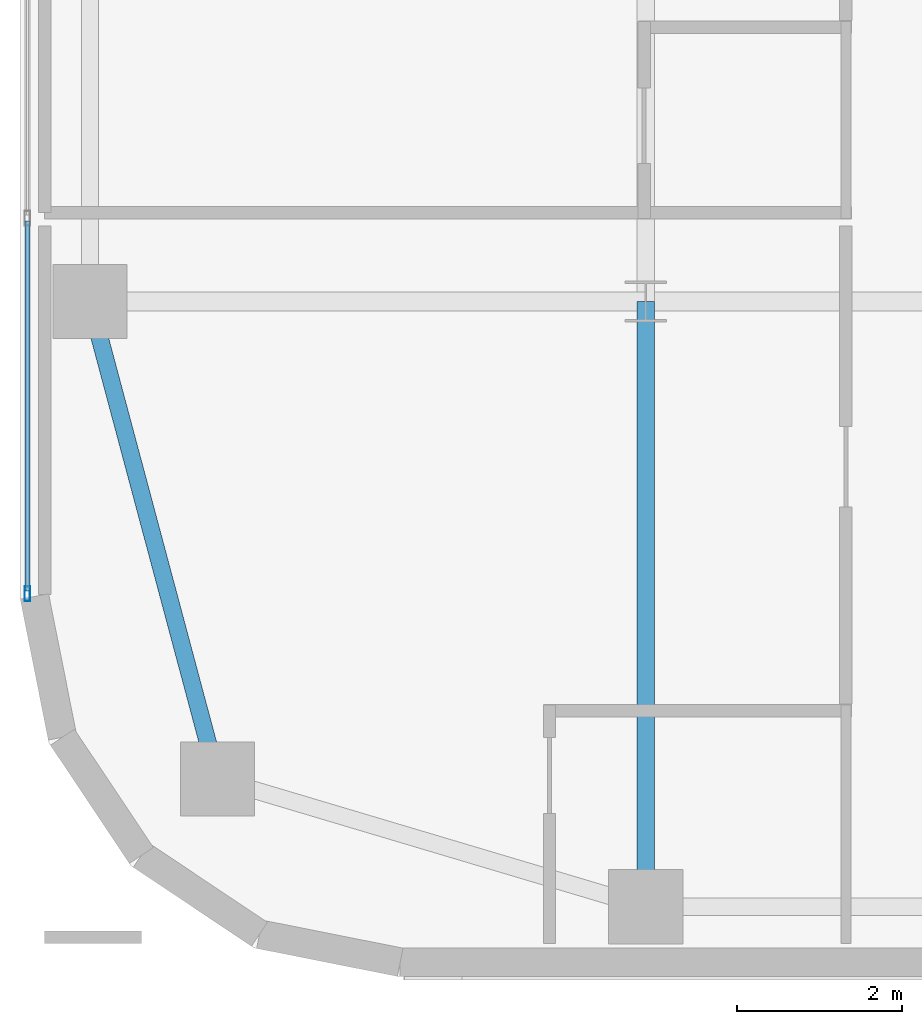
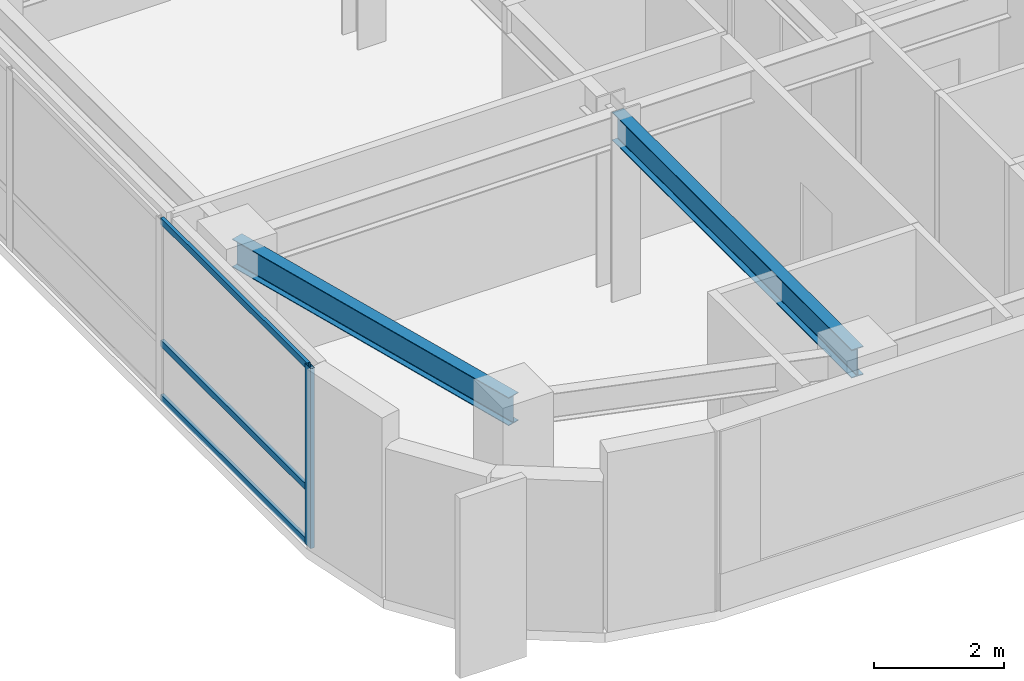
# One storey, part 2 of 37: 4 members, 2 beams, 1 element without a shape of its own.
"""IFC4 building model written with IfcOpenShell, lengths in metres."""

from ifc_helpers import new_model, si_unit, direction, frame, origin, origin_2d, place, context, subcontext, project, spatial, hollow_rectangle, i_section, extrude, source, transform, mapped, material, layer, layer_set, material_profile, profile_set, type_object, type_shapes, element, aggregate, save


model = new_model("IFC4")

# Units and contexts
model_context = context("Model", 3, precision=1e-05, world=origin(), true_north=direction((0.0, 1.0)))
body_context = subcontext(model_context, "Body", "Model", "MODEL_VIEW")
ifc_project = project(units=[si_unit("LENGTHUNIT", "METRE"), si_unit("AREAUNIT", "SQUARE_METRE"), si_unit("VOLUMEUNIT", "CUBIC_METRE"), si_unit("PLANEANGLEUNIT", "RADIAN"), si_unit("MASSUNIT", "GRAM", prefix="KILO")], contexts=[model_context])

# Site, building, storey
site_placement = place(None, origin())
site = spatial("IfcSite", under=ifc_project, at=site_placement, CompositionType="ELEMENT")
building_placement = place(site_placement, origin())
building = spatial("IfcBuilding", under=site, at=building_placement, Name="Tolvann Quenvar Hotel", CompositionType="ELEMENT")
storey_placement = place(building_placement, frame((0.0, 0.0, 104.449951171875)))
storey = spatial("IfcBuildingStorey", under=building, at=storey_placement, Name="L26", CompositionType="ELEMENT", Elevation=104.449951171875)

# Beams
ifc_material_1 = material(Name="Steel Grade 350", Category="steel")
ifc_material_profile_1 = material_profile(ifc_material_1, i_section(OverallWidth=0.208984375, OverallDepth=0.528076171875, WebThickness=0.009521484375, FlangeThickness=0.01318359375, FilletRadius=0.013916015625, at=origin_2d()), Name="530UB82")
ifc_profile_set_1 = profile_set([ifc_material_profile_1], Name="Steel Grade 350")
beam_type_1 = type_object("IfcBeamType", Name="BM_SPAND_530UB82", PredefinedType="SPANDREL", material=ifc_profile_set_1)
shared_shape_1 = source(origin(), body_context, "Body", "SweptSolid", [
    extrude(i_section(OverallWidth=0.208984375, OverallDepth=0.528076171875, WebThickness=0.009521484375, FlangeThickness=0.01318359375, FilletRadius=0.013916015625, at=origin_2d()), origin(), (0.0, 0.0, 1.0), 6.00341796875),
])
type_shapes(beam_type_1, [shared_shape_1])
beam_1_placement = place(storey_placement, frame((2.39990234375, 2.39990234375, 3.10595703125), z_axis=(-0.258148586649, 0.966105225745, 0.0), x_axis=(-0.966105225745, -0.258148586649, 0.0)))
element("IfcBeam", 1, at=beam_1_placement, inside=storey, type_object=beam_type_1, Name="BM-L26-NS-B2-B3", PredefinedType="SPANDREL", context=body_context, shape_type="MappedRepresentation", body=[
    mapped(shared_shape_1, transform((0.0, 0.0, 0.0), x_axis=(1.0, 0.0, 0.0), y_axis=(0.0, 1.0, 0.0), z_axis=(0.0, 0.0, 1.0), scale=1.0)),
])
ifc_material_profile_2 = material_profile(ifc_material_1, i_section(OverallWidth=0.208984375, OverallDepth=0.532958984375, WebThickness=0.01025390625, FlangeThickness=0.015625, FilletRadius=0.013916015625, at=origin_2d()), Name="530UB92")
ifc_profile_set_2 = profile_set([ifc_material_profile_2], Name="Steel Grade 350")
beam_type_2 = type_object("IfcBeamType", Name="BM_GIRD_530UB92", PredefinedType="BEAM", material=ifc_profile_set_2)
shared_shape_2 = source(origin(), body_context, "Body", "SweptSolid", [
    extrude(i_section(OverallWidth=0.208984375, OverallDepth=0.532958984375, WebThickness=0.01025390625, FlangeThickness=0.015625, FilletRadius=0.013916015625, at=origin_2d()), origin(), (0.0, 0.0, 1.0), 7.349853515625),
])
type_shapes(beam_type_2, [shared_shape_2])
beam_2_placement = place(storey_placement, frame((7.60009765625, 0.85009765625, 3.103515625), z_axis=(0.0, 1.0, 0.0), x_axis=(-1.0, 0.0, 0.0)))
element("IfcBeam", 2, at=beam_2_placement, inside=storey, type_object=beam_type_2, Name="BM-L26-NS-C2-C3", PredefinedType="BEAM", context=body_context, shape_type="MappedRepresentation", body=[
    mapped(shared_shape_2, transform((0.0, 0.0, 0.0), x_axis=(1.0, 0.0, 0.0), y_axis=(0.0, 1.0, 0.0), z_axis=(0.0, 0.0, 1.0), scale=1.0)),
])

# Curtain wall, members
ifc_material_2 = material(Name="Thermally broken anodised architectural aluminium 6063-T6 and laminated low-E glass", Category="aluminium")
ifc_layer = layer(ifc_material_2, 0.179931640625)
ifc_layer_set = layer_set([ifc_layer], Name="Thermally broken anodised architectural aluminium 6063-T6 and laminated low-E glass")
curtain_wall_type = type_object("IfcCurtainWallType", Name="CW_SYS_BAND_04", PredefinedType="USERDEFINED", material=ifc_layer_set)
curtain_wall_placement = place(storey_placement, origin())
curtain_wall = element("IfcCurtainWall", 3, at=curtain_wall_placement, inside=storey, type_object=curtain_wall_type, Name="Curtain Wall CW-BAND-04 (CWR-L26-E23)", ObjectType="UNITISED CURTAIN WALL", PredefinedType="USERDEFINED")
ifc_material_3 = material(Name="Anodised architectural aluminium 6063-T6 framing", Category="aluminium")
ifc_material_profile_3 = material_profile(ifc_material_3, hollow_rectangle(XDim=0.070068359375, YDim=0.179931640625, WallThickness=0.00390625, at=origin_2d()), Name="180x70x4RHS")
ifc_profile_set_3 = profile_set([ifc_material_profile_3], Name="Anodised architectural aluminium 6063-T6 framing")
member_type_1 = type_object("IfcMemberType", Name="CW_MULL_180x70", PredefinedType="MULLION", material=ifc_profile_set_3)
shared_shape_3 = source(origin(), body_context, "Body", "SweptSolid", [
    extrude(hollow_rectangle(XDim=0.070068359375, YDim=0.179931640625, WallThickness=0.00390625, at=origin_2d()), origin(), (0.0, 0.0, 1.0), 3.3701171875),
])
type_shapes(member_type_1, [shared_shape_3])
member_1_placement = place(storey_placement, frame((0.090087890625, 4.652099609375, 0.0), z_axis=(0.0, 0.0, 1.0), x_axis=(1.0, 0.0, 0.0)))
member_1 = element("IfcMember", 4, at=member_1_placement, type_object=member_type_1, Name="CW-BAND-04 mullion 9", PredefinedType="MULLION", context=body_context, shape_type="MappedRepresentation", body=[
    mapped(shared_shape_3, transform((0.0, 0.0, 0.0), x_axis=(1.0, 0.0, 0.0), y_axis=(0.0, 1.0, 0.0), z_axis=(0.0, 0.0, 1.0), scale=1.0)),
])
ifc_material_profile_4 = material_profile(ifc_material_3, hollow_rectangle(XDim=0.06005859375, YDim=0.1201171875, WallThickness=0.00341796875, at=origin_2d()), Name="120x60x3.5RHS")
ifc_profile_set_4 = profile_set([ifc_material_profile_4], Name="Anodised architectural aluminium 6063-T6 framing")
member_type_2 = type_object("IfcMemberType", Name="CW_TRAN_120x60", PredefinedType="USERDEFINED", material=ifc_profile_set_4)
shared_shape_4 = source(origin(), body_context, "Body", "SweptSolid", [
    extrude(hollow_rectangle(XDim=0.06005859375, YDim=0.1201171875, WallThickness=0.00341796875, at=origin_2d()), origin(), (0.0, 0.0, 1.0), 4.49072265625),
])
type_shapes(member_type_2, [shared_shape_4])
member_2_placement = place(storey_placement, frame((0.090087890625, 9.177978515625, 0.030029296875), z_axis=(0.0, -1.0, 0.0), x_axis=(1.0, 0.0, 0.0)))
member_2 = element("IfcMember", 5, at=member_2_placement, type_object=member_type_2, Name="CW-BAND-04 transom 8.1", ObjectType="TRANSOM", PredefinedType="USERDEFINED", context=body_context, shape_type="MappedRepresentation", body=[
    mapped(shared_shape_4, transform((0.0, 0.0, 0.0), x_axis=(1.0, 0.0, 0.0), y_axis=(0.0, 1.0, 0.0), z_axis=(0.0, 0.0, 1.0), scale=1.0)),
])
member_3_placement = place(storey_placement, frame((0.090087890625, 9.177978515625, 1.050048828125), z_axis=(0.0, -1.0, 0.0), x_axis=(1.0, 0.0, 0.0)))
member_3 = element("IfcMember", 6, at=member_3_placement, type_object=member_type_2, Name="CW-BAND-04 transom 8.2", ObjectType="TRANSOM", PredefinedType="USERDEFINED", context=body_context, shape_type="MappedRepresentation", body=[
    mapped(shared_shape_4, transform((0.0, 0.0, 0.0), x_axis=(1.0, 0.0, 0.0), y_axis=(0.0, 1.0, 0.0), z_axis=(0.0, 0.0, 1.0), scale=1.0)),
])
member_4_placement = place(storey_placement, frame((0.090087890625, 9.177978515625, 3.340087890625), z_axis=(0.0, -1.0, 0.0), x_axis=(1.0, 0.0, 0.0)))
member_4 = element("IfcMember", 7, at=member_4_placement, type_object=member_type_2, Name="CW-BAND-04 transom 8.3", ObjectType="TRANSOM", PredefinedType="USERDEFINED", context=body_context, shape_type="MappedRepresentation", body=[
    mapped(shared_shape_4, transform((0.0, 0.0, 0.0), x_axis=(1.0, 0.0, 0.0), y_axis=(0.0, 1.0, 0.0), z_axis=(0.0, 0.0, 1.0), scale=1.0)),
])
aggregate(curtain_wall, [member_1, member_2, member_3, member_4])

save(model, "model.ifc")
